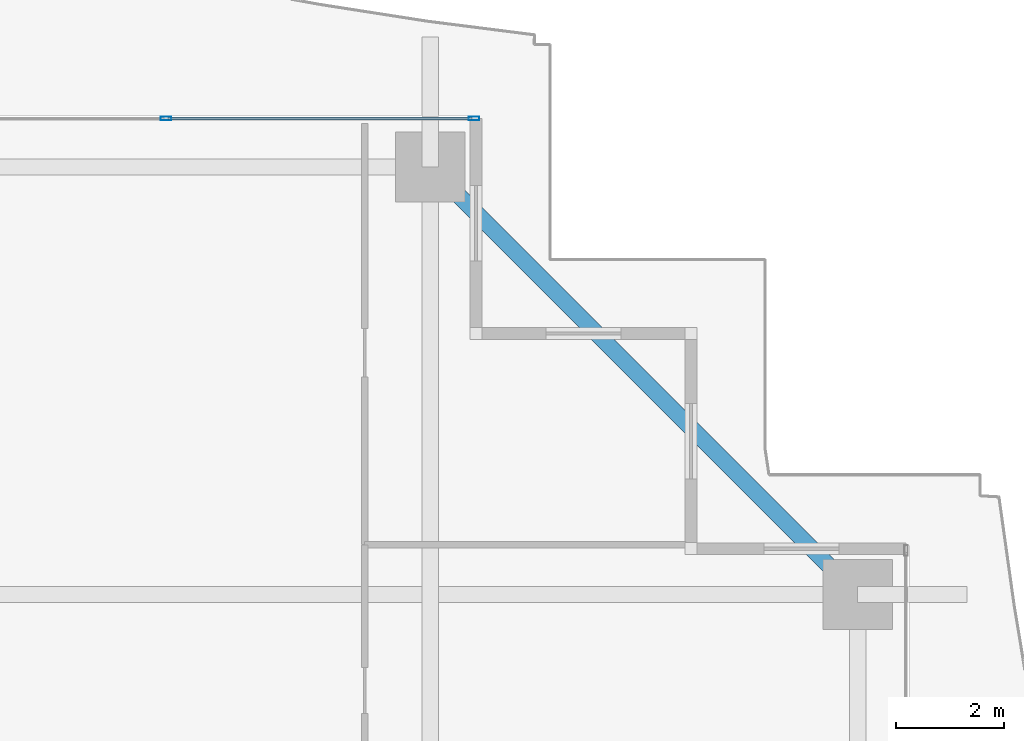
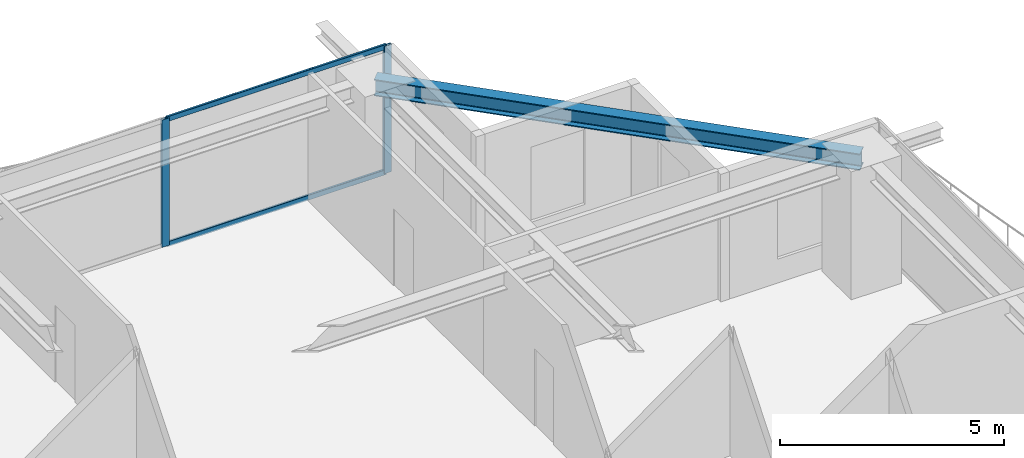
# One storey, part 21 of 34: 4 members, 1 beam, 1 element without a shape of its own.
"""IFC4 building model written with IfcOpenShell, lengths in metres."""

from ifc_helpers import new_model, si_unit, direction, frame, origin, origin_2d, place, context, subcontext, project, spatial, hollow_rectangle, i_section, extrude, source, transform, mapped, material, layer, layer_set, material_profile, profile_set, type_object, element, aggregate, save


model = new_model("IFC4")

# Units and contexts
model_context = context("Model", 3, precision=1e-05, world=origin(), true_north=direction((0.0, 1.0)))
body_context = subcontext(model_context, "Body", "Model", "MODEL_VIEW")
ifc_project = project(units=[si_unit("LENGTHUNIT", "METRE"), si_unit("AREAUNIT", "SQUARE_METRE"), si_unit("VOLUMEUNIT", "CUBIC_METRE"), si_unit("PLANEANGLEUNIT", "RADIAN"), si_unit("MASSUNIT", "GRAM", prefix="KILO")], contexts=[model_context])

# Site, building, storey
site_placement = place(None, origin())
site = spatial("IfcSite", under=ifc_project, at=site_placement, CompositionType="ELEMENT")
building_placement = place(site_placement, origin())
building = spatial("IfcBuilding", under=site, at=building_placement, Name="Serunith Strait Residences", CompositionType="ELEMENT")
storey_placement = place(building_placement, frame((0.0, 0.0, 135.14990234375)))
storey = spatial("IfcBuildingStorey", under=building, at=storey_placement, Name="L33", CompositionType="ELEMENT", Elevation=135.14990234375)

# Beam
ifc_material_1 = material(Name="Steel S355J2", Category="steel")
ifc_material_profile_1 = material_profile(ifc_material_1, i_section(OverallWidth=0.300048828125, OverallDepth=0.449951171875, WebThickness=0.013916015625, FlangeThickness=0.02587890625, FilletRadius=0.027099609375, at=origin_2d()), Name="HEB 450")
ifc_profile_set_1 = profile_set([ifc_material_profile_1], Name="Steel S355J2")
beam_type = type_object("IfcBeamType", Name="BM-HEB450", PredefinedType="BEAM", material=ifc_profile_set_1)
shared_shape_1 = source(origin(), body_context, "Body", "SweptSolid", [
    extrude(i_section(OverallWidth=0.300048828125, OverallDepth=0.449951171875, WebThickness=0.013916015625, FlangeThickness=0.02587890625, FilletRadius=0.027099609375, at=origin_2d()), origin(), (0.0, 0.0, 1.0), 11.2431640625),
])
beam_placement = place(storey_placement, frame((56.10009765625, 40.14990234375, 3.232177734375), z_axis=(-0.707106781187, 0.707106781187, 0.0), x_axis=(-0.707106781187, -0.707106781187, 0.0)))
element("IfcBeam", 1, at=beam_placement, inside=storey, type_object=beam_type, Name="L33 Perimeter Ring Beam 08", PredefinedType="BEAM", context=body_context, shape_type="MappedRepresentation", body=[
    mapped(shared_shape_1, transform((0.0, 0.0, 0.0), scale=1.0)),
])

# Curtain wall, members
ifc_material_2 = material(Name="Pale-Champagne Anodised Aluminium", Category="aluminium")
ifc_layer = layer(ifc_material_2, 0.199951171875, Name="Pale-Champagne Anodised Aluminium")
ifc_layer_set = layer_set([ifc_layer], Name="Pale-Champagne Anodised Aluminium")
curtain_wall_type = type_object("IfcCurtainWallType", Name="CW-SYS2", PredefinedType="NOTDEFINED", material=ifc_layer_set)
curtain_wall_placement = place(storey_placement, origin())
curtain_wall = element("IfcCurtainWall", 2, at=curtain_wall_placement, inside=storey, type_object=curtain_wall_type, Name="L33 N Unitised Fritted Curtain Wall", PredefinedType="NOTDEFINED")
ifc_material_profile_2 = material_profile(ifc_material_2, hollow_rectangle(XDim=0.070068359375, YDim=0.199951171875, WallThickness=0.00390625, InnerFilletRadius=0.006103515625, OuterFilletRadius=0.010009765625, at=origin_2d()), Name="ALU 200x70x4")
ifc_profile_set_2 = profile_set([ifc_material_profile_2], Name="Pale-Champagne Anodised Aluminium")
member_type_1 = type_object("IfcMemberType", Name="CW-SYS2-MULL", PredefinedType="MULLION", material=ifc_profile_set_2)
shared_shape_2 = source(origin(), body_context, "Body", "SweptSolid", [
    extrude(hollow_rectangle(XDim=0.070068359375, YDim=0.199951171875, WallThickness=0.00390625, InnerFilletRadius=0.006103515625, OuterFilletRadius=0.010009765625, at=origin_2d()), origin(), (0.0, 0.0, 1.0), 3.47509765625),
])
member_1_placement = place(storey_placement, frame((48.965087890625, 49.0, 0.0), z_axis=(0.0, 0.0, 1.0), x_axis=(0.0, -1.0, 0.0)))
member_1 = element("IfcMember", 3, at=member_1_placement, type_object=member_type_1, Name="CW-2 mullion 1", PredefinedType="MULLION", context=body_context, shape_type="MappedRepresentation", body=[
    mapped(shared_shape_2, transform((0.0, 0.0, 0.0), scale=1.0)),
])
member_2_placement = place(storey_placement, frame((43.2333984375, 49.0, 0.0), z_axis=(0.0, 0.0, 1.0), x_axis=(0.0, -1.0, 0.0)))
member_2 = element("IfcMember", 4, at=member_2_placement, type_object=member_type_1, Name="CW-2 mullion 2", PredefinedType="MULLION", context=body_context, shape_type="MappedRepresentation", body=[
    mapped(shared_shape_2, transform((0.0, 0.0, 0.0), scale=1.0)),
])
ifc_material_profile_3 = material_profile(ifc_material_2, hollow_rectangle(XDim=0.06005859375, YDim=0.139892578125, WallThickness=0.00341796875, InnerFilletRadius=0.00537109375, OuterFilletRadius=0.0087890625, at=origin_2d()), Name="ALU 140x60x3.5")
ifc_profile_set_3 = profile_set([ifc_material_profile_3], Name="Pale-Champagne Anodised Aluminium")
member_type_2 = type_object("IfcMemberType", Name="CW-SYS2-TRAN", PredefinedType="USERDEFINED", material=ifc_profile_set_3)
shared_shape_3 = source(origin(), body_context, "Body", "SweptSolid", [
    extrude(hollow_rectangle(XDim=0.06005859375, YDim=0.139892578125, WallThickness=0.00341796875, InnerFilletRadius=0.00537109375, OuterFilletRadius=0.0087890625, at=origin_2d()), origin(), (0.0, 0.0, 1.0), 5.66162109375),
])
member_3_placement = place(storey_placement, frame((48.929931640625, 49.0, 0.030029296875), z_axis=(-1.0, 0.0, 0.0), x_axis=(0.0, -1.0, 0.0)))
member_3 = element("IfcMember", 5, at=member_3_placement, type_object=member_type_2, Name="CW-2 transom 1.1", ObjectType="TRANSOM", PredefinedType="USERDEFINED", context=body_context, shape_type="MappedRepresentation", body=[
    mapped(shared_shape_3, transform((0.0, 0.0, 0.0), scale=1.0)),
])
member_4_placement = place(storey_placement, frame((48.929931640625, 49.0, 3.445068359375), z_axis=(-1.0, 0.0, 0.0), x_axis=(0.0, -1.0, 0.0)))
member_4 = element("IfcMember", 6, at=member_4_placement, type_object=member_type_2, Name="CW-2 transom 1.2", ObjectType="TRANSOM", PredefinedType="USERDEFINED", context=body_context, shape_type="MappedRepresentation", body=[
    mapped(shared_shape_3, transform((0.0, 0.0, 0.0), scale=1.0)),
])
aggregate(curtain_wall, [member_1, member_2, member_3, member_4])

save(model, "model.ifc")
